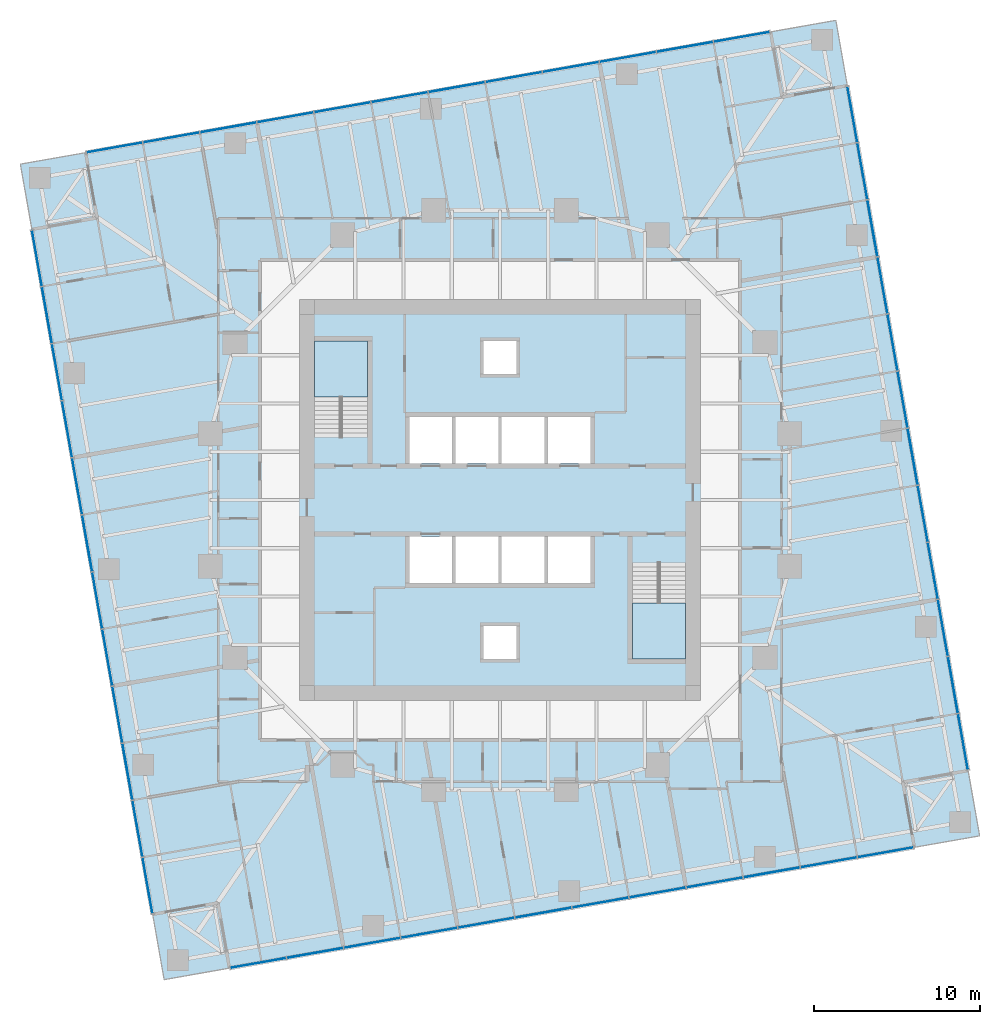
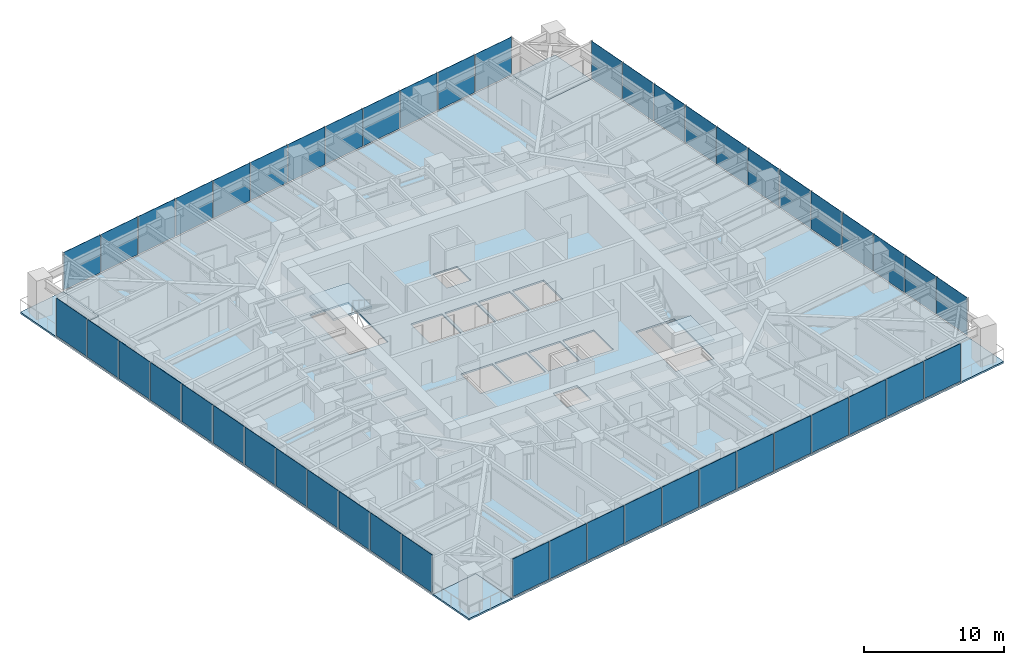
# One storey, part 7 of 14: 48 plates, 7 slabs, 6 elements without a shape of their own.
"""IFC4 building model written with IfcOpenShell, lengths in metres."""

import ifcopenshell
import ifcopenshell.guid

model = None  # the IFC model being written
_history = None  # IfcOwnerHistory: only IFC2X3 demands one
_inside = {}  # id of a spatial element -> (the spatial element, [elements in it])
_under = {}  # id of a project, library or spatial element -> (it, [spatial elements below it])
_declared = {}  # id of a project -> (the project, [libraries it declares])
_typed = {}  # id of a type object -> (the type object, [elements of that type])
_made_of = {}  # id of a material, layer set ... -> (it, [elements and type objects made of it])


def new_model(schema):
    """Start an empty IFC model of exactly this schema.

    Asked for "IFC4X3", IfcOpenShell would pick the latest addendum, in which some entities
    have other attributes; the version numbers below select the first issue.
    IFC2X3 requires an IfcOwnerHistory on every rooted entity: one is made here for all.
    """
    global model, _history
    if schema == "IFC4X3":
        model = ifcopenshell.file(schema_version=(4, 3, 0, 0))
    else:
        model = ifcopenshell.file(schema=schema)
    _inside.clear()
    _under.clear()
    _declared.clear()
    _typed.clear()
    _made_of.clear()
    _history = None
    if model.schema == "IFC2X3":
        org = make("IfcOrganization", Name="unknown")
        user = make(
            "IfcPersonAndOrganization",
            ThePerson=make("IfcPerson", FamilyName="unknown"),
            TheOrganization=org,
        )
        app = make(
            "IfcApplication",
            ApplicationDeveloper=org,
            Version="unknown",
            ApplicationFullName="unknown",
            ApplicationIdentifier="unknown",
        )
        _history = make(
            "IfcOwnerHistory",
            OwningUser=user,
            OwningApplication=app,
            ChangeAction="ADDED",
            CreationDate=0,
        )
    return model


def make(cls, **values):
    """One entity of the class cls with the attributes given. An attribute that is None is left unset."""
    return model.create_entity(
        cls, **{name: value for name, value in values.items() if value is not None}
    )


def rooted(cls, **values):
    """An entity with a GlobalId (a new one), such as an element, a storey or a relation."""
    return make(cls, GlobalId=ifcopenshell.guid.new(), OwnerHistory=_history, **values)


def si_unit(unit_type, name, prefix=None):
    """IfcSIUnit, for example si_unit("LENGTHUNIT", "METRE", prefix="MILLI")."""
    return make("IfcSIUnit", UnitType=unit_type, Prefix=prefix, Name=name)


def assignment(units):
    """IfcUnitAssignment: the units of a project."""
    return None if units is None else make("IfcUnitAssignment", Units=units)


def point(xyz):
    """IfcCartesianPoint."""
    return None if xyz is None else make("IfcCartesianPoint", Coordinates=xyz)


def direction(xyz):
    """IfcDirection."""
    return None if xyz is None else make("IfcDirection", DirectionRatios=xyz)


def frame(location, z_axis=None, x_axis=None):
    """IfcAxis2Placement3D, a coordinate frame: its origin and axes. An axis left out is left unset."""
    return make(
        "IfcAxis2Placement3D",
        Location=point(location),
        Axis=direction(z_axis),
        RefDirection=direction(x_axis),
    )


def frame_2d(location, x_axis=None):
    """IfcAxis2Placement2D, a coordinate frame in the plane: its origin and x axis."""
    return make(
        "IfcAxis2Placement2D", Location=point(location), RefDirection=direction(x_axis)
    )


def origin():
    """The frame at (0, 0, 0) with its axes left unset."""
    return frame((0.0, 0.0, 0.0))


def origin_2d():
    """The frame at (0, 0) in the plane with its x axis left unset."""
    return frame_2d((0.0, 0.0))


def place(relative_to, where):
    """IfcLocalPlacement: puts the frame where relative to a parent placement (None: the world)."""
    return make(
        "IfcLocalPlacement", PlacementRelTo=relative_to, RelativePlacement=where
    )


def context(
    kind, dimensions, precision=None, world=None, true_north=None, identifier=None
):
    """IfcGeometricRepresentationContext, for example the 3D "Model" context."""
    return make(
        "IfcGeometricRepresentationContext",
        ContextIdentifier=identifier,
        ContextType=kind,
        CoordinateSpaceDimension=dimensions,
        Precision=precision,
        WorldCoordinateSystem=world,
        TrueNorth=true_north,
    )


def subcontext(parent, identifier, kind, view, scale=None):
    """IfcGeometricRepresentationSubContext, for example "Body" below "Model"."""
    return make(
        "IfcGeometricRepresentationSubContext",
        ContextIdentifier=identifier,
        ContextType=kind,
        ParentContext=parent,
        TargetScale=scale,
        TargetView=view,
    )


def project(units=None, contexts=None):
    """IfcProject with its units and contexts."""
    return rooted(
        "IfcProject",
        Name="project",
        RepresentationContexts=contexts,
        UnitsInContext=assignment(units),
    )


def spatial(cls, under=None, at=None, **own):
    """A site, building, storey or space (cls), placed at a placement, below another one or the project."""
    s = rooted(cls, ObjectPlacement=at, **own)
    if under is not None:
        _under.setdefault(under.id(), (under, []))[1].append(s)
    return s


def polyline(points):
    """IfcPolyline through the points."""
    return make("IfcPolyline", Points=[point(p) for p in points])


def profile(cls, at=None, kind="AREA", **sizes):
    """A parametric profile (cls). Its sizes go by their IFC names, for example OverallWidth=200.0."""
    return make(cls, ProfileType=kind, Position=at, **sizes)


def rectangle(**sizes):
    """IfcRectangleProfileDef."""
    return profile("IfcRectangleProfileDef", **sizes)


def outline(outer, holes=None, kind="AREA"):
    """IfcArbitraryClosedProfileDef: a profile drawn as a closed curve; with holes, ...WithVoids."""
    if holes is None:
        return make("IfcArbitraryClosedProfileDef", ProfileType=kind, OuterCurve=outer)
    return make(
        "IfcArbitraryProfileDefWithVoids",
        ProfileType=kind,
        OuterCurve=outer,
        InnerCurves=holes,
    )


def extrude(swept, where, along, depth):
    """IfcExtrudedAreaSolid: the profile swept, set in the frame where, extruded along a direction by depth."""
    return make(
        "IfcExtrudedAreaSolid",
        SweptArea=swept,
        Position=where,
        ExtrudedDirection=direction(along),
        Depth=depth,
    )


def shape(context_of_items, identifier, shape_type, items):
    """IfcShapeRepresentation: the items that make up one representation, for example the "Body"."""
    return make(
        "IfcShapeRepresentation",
        ContextOfItems=context_of_items,
        RepresentationIdentifier=identifier,
        RepresentationType=shape_type,
        Items=items,
    )


def material(Name=None, Category=None):
    """IfcMaterial."""
    return make("IfcMaterial", Name=Name, Category=Category)


def layer(
    of_material, thickness, ventilated=None, Name=None, Category=None, Priority=None
):
    """IfcMaterialLayer: one layer of a wall or slab, of a material (None: an air gap)."""
    return make(
        "IfcMaterialLayer",
        Material=of_material,
        LayerThickness=thickness,
        IsVentilated=ventilated,
        Name=Name,
        Category=Category,
        Priority=Priority,
    )


def layer_set(layers, Name=None):
    """IfcMaterialLayerSet."""
    return make("IfcMaterialLayerSet", MaterialLayers=layers, LayerSetName=Name)


def made_of(thing, what):
    """Note that an element or type object is made of a material, layer set ...; save() writes the relation."""
    if what is not None:
        _made_of.setdefault(what.id(), (what, []))[1].append(thing)
    return thing


def type_object(cls, material=None, **own):
    """A type object (cls), such as IfcWallType, which elements share."""
    return made_of(rooted(cls, **own), material)


def element(
    cls,
    number,
    at=None,
    inside=None,
    cuts=None,
    type_object=None,
    material=None,
    context=None,
    identifier="Body",
    shape_type=None,
    held_by="IfcProductDefinitionShape",
    body=None,
    shapes=None,
    **own,
):
    """One element of the class cls, such as IfcWall. Its Tag is "e" and its number.

    at: its placement. inside: the storey or other place that contains it. cuts: it is an
    opening in that element (IfcRelVoidsElement). A single representation is given by context,
    identifier, shape_type and body (its items); several are given by shapes. held_by: the class
    of the entity that holds the representations. save() writes the other relations.
    """
    e = rooted(cls, Tag="e%d" % number, ObjectPlacement=at, **own)
    if body is not None:
        shapes = [shape(context, identifier, shape_type, body)]
    if shapes is not None:
        e.Representation = make(held_by, Representations=shapes)
    if inside is not None:
        _inside.setdefault(inside.id(), (inside, []))[1].append(e)
    if cuts is not None:
        rooted(
            "IfcRelVoidsElement", RelatingBuildingElement=cuts, RelatedOpeningElement=e
        )
    if type_object is not None:
        _typed.setdefault(type_object.id(), (type_object, []))[1].append(e)
    return made_of(e, material)


def aggregate(whole, parts):
    """IfcRelAggregates: a whole, such as a stair, and the parts it consists of."""
    return rooted("IfcRelAggregates", RelatingObject=whole, RelatedObjects=parts)


def save(model, path):
    """Write the relations noted so far, then the file.

    IfcRelAggregates (storeys below a building ...), IfcRelContainedInSpatialStructure (elements
    in a storey), IfcRelDefinesByType, IfcRelAssociatesMaterial and IfcRelDeclares: one each for
    every whole, place, type object, material and project.
    """
    for whole, parts in _under.values():
        aggregate(whole, parts)
    for where, things in _inside.values():
        rooted(
            "IfcRelContainedInSpatialStructure",
            RelatedElements=things,
            RelatingStructure=where,
        )
    for kind, things in _typed.values():
        rooted("IfcRelDefinesByType", RelatedObjects=things, RelatingType=kind)
    for what, things in _made_of.values():
        rooted("IfcRelAssociatesMaterial", RelatedObjects=things, RelatingMaterial=what)
    for by, libraries in _declared.values():
        rooted("IfcRelDeclares", RelatingContext=by, RelatedDefinitions=libraries)
    model.write(path)


model = new_model("IFC4")

# Units and contexts
model_context = context("Model", 3, precision=1e-05, world=origin(), true_north=direction((0.0, 1.0)))
body_context = subcontext(model_context, "Body", "Model", "MODEL_VIEW")
ifc_project = project(units=[si_unit("LENGTHUNIT", "METRE"), si_unit("AREAUNIT", "SQUARE_METRE"), si_unit("VOLUMEUNIT", "CUBIC_METRE"), si_unit("PLANEANGLEUNIT", "RADIAN"), si_unit("MASSUNIT", "GRAM", prefix="KILO")], contexts=[model_context])

# Site, building, storey
site_placement = place(None, origin())
site = spatial("IfcSite", under=ifc_project, at=site_placement, CompositionType="ELEMENT")
building_placement = place(site_placement, origin())
building = spatial("IfcBuilding", under=site, at=building_placement, Name="Torsade Residences", CompositionType="ELEMENT")
storey_placement = place(building_placement, frame((0.0, 0.0, 82.800048828125)))
storey = spatial("IfcBuildingStorey", under=building, at=storey_placement, Name="L22", CompositionType="ELEMENT", Elevation=82.800048828125)

# Slab
ifc_material_1 = material(Name="Concrete 40 MPa", Category="concrete")
ifc_layer_1 = layer(ifc_material_1, 0.14990234375)
ifc_layer_set_1 = layer_set([ifc_layer_1], Name="Concrete 40 MPa")
slab_type_1 = type_object("IfcSlabType", Name="COMPOSITE FLOOR SLAB 150", PredefinedType="FLOOR", material=ifc_layer_set_1)
slab_1_placement = place(storey_placement, frame((0.0, 0.0, -0.150146484375)))
element("IfcSlab", 1, at=slab_1_placement, inside=storey, type_object=slab_type_1, Name="Floor slab L22", PredefinedType="FLOOR", context=body_context, shape_type="SweptSolid", body=[
    extrude(outline(polyline([(23.66015625, 1.733154296875), (65.022216796875, 9.0263671875), (64.32763671875, 12.965576171875), (68.266845703125, 13.66015625), (60.9736328125, 55.022216796875), (57.034423828125, 54.32763671875), (56.33984375, 58.266845703125), (14.977783203125, 50.9736328125), (15.67236328125, 47.034423828125), (11.733154296875, 46.33984375), (19.0263671875, 4.977783203125), (22.965576171875, 5.67236328125), (23.66015625, 1.733154296875)]), holes=[polyline([(51.199951171875, 20.39990234375), (51.199951171875, 26.1201171875), (48.0, 26.1201171875), (48.0, 20.39990234375), (51.199951171875, 20.39990234375)]), polyline([(45.5, 27.800048828125), (42.89990234375, 27.800048828125), (42.89990234375, 25.0), (45.5, 25.0), (45.5, 27.800048828125)]), polyline([(45.5, 32.199951171875), (45.5, 35.0), (42.89990234375, 35.0), (42.89990234375, 32.199951171875), (45.5, 32.199951171875)]), polyline([(42.699951171875, 25.0), (42.699951171875, 27.800048828125), (40.10009765625, 27.800048828125), (40.10009765625, 25.0), (42.699951171875, 25.0)]), polyline([(42.699951171875, 32.199951171875), (42.699951171875, 35.0), (40.10009765625, 35.0), (40.10009765625, 32.199951171875), (42.699951171875, 32.199951171875)]), polyline([(41.0, 22.39990234375), (39.0, 22.39990234375), (39.0, 20.39990234375), (41.0, 20.39990234375), (41.0, 22.39990234375)]), polyline([(41.0, 37.60009765625), (41.0, 39.60009765625), (39.0, 39.60009765625), (39.0, 37.60009765625), (41.0, 37.60009765625)]), polyline([(39.89990234375, 25.0), (39.89990234375, 27.800048828125), (37.300048828125, 27.800048828125), (37.300048828125, 25.0), (39.89990234375, 25.0)]), polyline([(39.89990234375, 35.0), (37.300048828125, 35.0), (37.300048828125, 32.199951171875), (39.89990234375, 32.199951171875), (39.89990234375, 35.0)]), polyline([(37.10009765625, 27.800048828125), (34.5, 27.800048828125), (34.5, 25.0), (37.10009765625, 25.0), (37.10009765625, 27.800048828125)]), polyline([(37.10009765625, 32.199951171875), (37.10009765625, 35.0), (34.5, 35.0), (34.5, 32.199951171875), (37.10009765625, 32.199951171875)]), polyline([(32.0, 33.8798828125), (32.0, 39.60009765625), (28.800048828125, 39.60009765625), (28.800048828125, 33.8798828125), (32.0, 33.8798828125)])]), origin(), (0.0, 0.0, 1.0), 0.150146484375),
])

# Curtain wall, plates
ifc_material_2 = material(Name="Aluminium and glass", Category="aluminium")
curtain_wall_type = type_object("IfcCurtainWallType", Name="FRITTED GLASS CURTAIN WALL LOW ZONE", PredefinedType="NOTDEFINED", material=ifc_material_2)
curtain_wall_1_placement = place(storey_placement, origin())
curtain_wall_1 = element("IfcCurtainWall", 2, at=curtain_wall_1_placement, inside=storey, type_object=curtain_wall_type, Name="Curtain wall L22 face 1", PredefinedType="NOTDEFINED")
ifc_material_3 = material(Name="Laminated glass", Category="glass")
ifc_layer_2 = layer(ifc_material_3, 0.031982421875)
ifc_layer_set_2 = layer_set([ifc_layer_2], Name="Laminated glass")
plate_type_1 = type_object("IfcPlateType", Name="FRITTED GLASS PANEL", PredefinedType="CURTAIN_PANEL", material=ifc_layer_set_2)
plate_1_placement = place(storey_placement, frame((25.399658203125, 2.039794921875, 0.10009765625), z_axis=(0.0, 0.0, 1.0), x_axis=(0.984807750372, 0.173648192638, 0.0)))
plate_1 = element("IfcPlate", 3, at=plate_1_placement, type_object=plate_type_1, Name="Panel 1", PredefinedType="CURTAIN_PANEL", context=body_context, shape_type="SweptSolid", body=[
    extrude(rectangle(XDim=3.402587890625, YDim=0.031982421875, at=origin_2d()), origin(), (0.0, 0.0, 1.0), 3.300048828125),
])
plate_2_placement = place(storey_placement, frame((32.27734375, 3.252685546875, 0.10009765625), z_axis=(0.0, 0.0, 1.0), x_axis=(0.984807750372, 0.173648192638, 0.0)))
plate_2 = element("IfcPlate", 4, at=plate_2_placement, type_object=plate_type_1, Name="Panel 3", PredefinedType="CURTAIN_PANEL", context=body_context, shape_type="SweptSolid", body=[
    extrude(rectangle(XDim=3.43505859375, YDim=0.031982421875, at=origin_2d()), origin(), (0.0, 0.0, 1.0), 3.300048828125),
])
plate_3_placement = place(storey_placement, frame((35.72412109375, 3.8603515625, 0.10009765625), z_axis=(0.0, 0.0, 1.0), x_axis=(0.984807750372, 0.173648192638, 0.0)))
plate_3 = element("IfcPlate", 5, at=plate_3_placement, type_object=plate_type_1, Name="Panel 4", PredefinedType="CURTAIN_PANEL", context=body_context, shape_type="SweptSolid", body=[
    extrude(rectangle(XDim=3.43505859375, YDim=0.031982421875, at=origin_2d()), origin(), (0.0, 0.0, 1.0), 3.300048828125),
])
plate_4_placement = place(storey_placement, frame((39.1708984375, 4.46826171875, 0.10009765625), z_axis=(0.0, 0.0, 1.0), x_axis=(0.984807750372, 0.173648192638, 0.0)))
plate_4 = element("IfcPlate", 6, at=plate_4_placement, type_object=plate_type_1, Name="Panel 5", PredefinedType="CURTAIN_PANEL", context=body_context, shape_type="SweptSolid", body=[
    extrude(rectangle(XDim=3.43505859375, YDim=0.031982421875, at=origin_2d()), origin(), (0.0, 0.0, 1.0), 3.300048828125),
])
plate_5_placement = place(storey_placement, frame((46.064697265625, 5.68359375, 0.10009765625), z_axis=(0.0, 0.0, 1.0), x_axis=(0.984807750372, 0.173648192638, 0.0)))
plate_5 = element("IfcPlate", 7, at=plate_5_placement, type_object=plate_type_1, Name="Panel 7", PredefinedType="CURTAIN_PANEL", context=body_context, shape_type="SweptSolid", body=[
    extrude(rectangle(XDim=3.43505859375, YDim=0.031982421875, at=origin_2d()), origin(), (0.0, 0.0, 1.0), 3.300048828125),
])
plate_6_placement = place(storey_placement, frame((49.511474609375, 6.29150390625, 0.10009765625), z_axis=(0.0, 0.0, 1.0), x_axis=(0.984807750372, 0.173648192638, 0.0)))
plate_6 = element("IfcPlate", 8, at=plate_6_placement, type_object=plate_type_1, Name="Panel 8", PredefinedType="CURTAIN_PANEL", context=body_context, shape_type="SweptSolid", body=[
    extrude(rectangle(XDim=3.43505859375, YDim=0.031982421875, at=origin_2d()), origin(), (0.0, 0.0, 1.0), 3.300048828125),
])
plate_7_placement = place(storey_placement, frame((52.958251953125, 6.899169921875, 0.10009765625), z_axis=(0.0, 0.0, 1.0), x_axis=(0.984807750372, 0.173648192638, 0.0)))
plate_7 = element("IfcPlate", 9, at=plate_7_placement, type_object=plate_type_1, Name="Panel 9", PredefinedType="CURTAIN_PANEL", context=body_context, shape_type="SweptSolid", body=[
    extrude(rectangle(XDim=3.43505859375, YDim=0.031982421875, at=origin_2d()), origin(), (0.0, 0.0, 1.0), 3.300048828125),
])
plate_8_placement = place(storey_placement, frame((59.851806640625, 8.11474609375, 0.10009765625), z_axis=(0.0, 0.0, 1.0), x_axis=(0.984807750372, 0.173648192638, 0.0)))
plate_8 = element("IfcPlate", 10, at=plate_8_placement, type_object=plate_type_1, Name="Panel 11", PredefinedType="CURTAIN_PANEL", context=body_context, shape_type="SweptSolid", body=[
    extrude(rectangle(XDim=3.43505859375, YDim=0.031982421875, at=origin_2d()), origin(), (0.0, 0.0, 1.0), 3.300048828125),
])
plate_9_placement = place(storey_placement, frame((63.28271484375, 8.7197265625, 0.10009765625), z_axis=(0.0, 0.0, 1.0), x_axis=(0.984807750372, 0.173648192638, 0.0)))
plate_9 = element("IfcPlate", 11, at=plate_9_placement, type_object=plate_type_1, Name="Panel 12", PredefinedType="CURTAIN_PANEL", context=body_context, shape_type="SweptSolid", body=[
    extrude(rectangle(XDim=3.402587890625, YDim=0.031982421875, at=origin_2d()), origin(), (0.0, 0.0, 1.0), 3.300048828125),
])

curtain_wall_2_placement = place(storey_placement, origin())
curtain_wall_2 = element("IfcCurtainWall", 12, at=curtain_wall_2_placement, inside=storey, type_object=curtain_wall_type, Name="Curtain wall L22 face 4", PredefinedType="NOTDEFINED")
plate_10_placement = place(storey_placement, frame((67.960205078125, 15.399658203125, 0.10009765625), z_axis=(0.0, 0.0, 1.0), x_axis=(-0.173648192638, 0.984807750372, 0.0)))
plate_10 = element("IfcPlate", 13, at=plate_10_placement, type_object=plate_type_1, Name="Panel 1", PredefinedType="CURTAIN_PANEL", context=body_context, shape_type="SweptSolid", body=[
    extrude(rectangle(XDim=3.402587890625, YDim=0.031982421875, at=origin_2d()), origin(), (0.0, 0.0, 1.0), 3.300048828125),
])
plate_11_placement = place(storey_placement, frame((66.747314453125, 22.27734375, 0.10009765625), z_axis=(0.0, 0.0, 1.0), x_axis=(-0.173648192638, 0.984807750372, 0.0)))
plate_11 = element("IfcPlate", 14, at=plate_11_placement, type_object=plate_type_1, Name="Panel 3", PredefinedType="CURTAIN_PANEL", context=body_context, shape_type="SweptSolid", body=[
    extrude(rectangle(XDim=3.43505859375, YDim=0.031982421875, at=origin_2d()), origin(), (0.0, 0.0, 1.0), 3.300048828125),
])
plate_12_placement = place(storey_placement, frame((66.1396484375, 25.72412109375, 0.10009765625), z_axis=(0.0, 0.0, 1.0), x_axis=(-0.173648192638, 0.984807750372, 0.0)))
plate_12 = element("IfcPlate", 15, at=plate_12_placement, type_object=plate_type_1, Name="Panel 4", PredefinedType="CURTAIN_PANEL", context=body_context, shape_type="SweptSolid", body=[
    extrude(rectangle(XDim=3.43505859375, YDim=0.031982421875, at=origin_2d()), origin(), (0.0, 0.0, 1.0), 3.300048828125),
])
plate_13_placement = place(storey_placement, frame((65.53173828125, 29.1708984375, 0.10009765625), z_axis=(0.0, 0.0, 1.0), x_axis=(-0.173648192638, 0.984807750372, 0.0)))
plate_13 = element("IfcPlate", 16, at=plate_13_placement, type_object=plate_type_1, Name="Panel 5", PredefinedType="CURTAIN_PANEL", context=body_context, shape_type="SweptSolid", body=[
    extrude(rectangle(XDim=3.43505859375, YDim=0.031982421875, at=origin_2d()), origin(), (0.0, 0.0, 1.0), 3.300048828125),
])
plate_14_placement = place(storey_placement, frame((64.31640625, 36.064697265625, 0.10009765625), z_axis=(0.0, 0.0, 1.0), x_axis=(-0.173648192638, 0.984807750372, 0.0)))
plate_14 = element("IfcPlate", 17, at=plate_14_placement, type_object=plate_type_1, Name="Panel 7", PredefinedType="CURTAIN_PANEL", context=body_context, shape_type="SweptSolid", body=[
    extrude(rectangle(XDim=3.43505859375, YDim=0.031982421875, at=origin_2d()), origin(), (0.0, 0.0, 1.0), 3.300048828125),
])
plate_15_placement = place(storey_placement, frame((63.70849609375, 39.511474609375, 0.10009765625), z_axis=(0.0, 0.0, 1.0), x_axis=(-0.173648192638, 0.984807750372, 0.0)))
plate_15 = element("IfcPlate", 18, at=plate_15_placement, type_object=plate_type_1, Name="Panel 8", PredefinedType="CURTAIN_PANEL", context=body_context, shape_type="SweptSolid", body=[
    extrude(rectangle(XDim=3.43505859375, YDim=0.031982421875, at=origin_2d()), origin(), (0.0, 0.0, 1.0), 3.300048828125),
])
plate_16_placement = place(storey_placement, frame((63.100830078125, 42.958251953125, 0.10009765625), z_axis=(0.0, 0.0, 1.0), x_axis=(-0.173648192638, 0.984807750372, 0.0)))
plate_16 = element("IfcPlate", 19, at=plate_16_placement, type_object=plate_type_1, Name="Panel 9", PredefinedType="CURTAIN_PANEL", context=body_context, shape_type="SweptSolid", body=[
    extrude(rectangle(XDim=3.43505859375, YDim=0.031982421875, at=origin_2d()), origin(), (0.0, 0.0, 1.0), 3.300048828125),
])
plate_17_placement = place(storey_placement, frame((61.88525390625, 49.851806640625, 0.10009765625), z_axis=(0.0, 0.0, 1.0), x_axis=(-0.173648192638, 0.984807750372, 0.0)))
plate_17 = element("IfcPlate", 20, at=plate_17_placement, type_object=plate_type_1, Name="Panel 11", PredefinedType="CURTAIN_PANEL", context=body_context, shape_type="SweptSolid", body=[
    extrude(rectangle(XDim=3.43505859375, YDim=0.031982421875, at=origin_2d()), origin(), (0.0, 0.0, 1.0), 3.300048828125),
])
plate_18_placement = place(storey_placement, frame((61.2802734375, 53.28271484375, 0.10009765625), z_axis=(0.0, 0.0, 1.0), x_axis=(-0.173648192638, 0.984807750372, 0.0)))
plate_18 = element("IfcPlate", 21, at=plate_18_placement, type_object=plate_type_1, Name="Panel 12", PredefinedType="CURTAIN_PANEL", context=body_context, shape_type="SweptSolid", body=[
    extrude(rectangle(XDim=3.402587890625, YDim=0.031982421875, at=origin_2d()), origin(), (0.0, 0.0, 1.0), 3.300048828125),
])

curtain_wall_3_placement = place(storey_placement, origin())
curtain_wall_3 = element("IfcCurtainWall", 22, at=curtain_wall_3_placement, inside=storey, type_object=curtain_wall_type, Name="Curtain wall L22 face 7", PredefinedType="NOTDEFINED")
plate_19_placement = place(storey_placement, frame((54.600341796875, 57.960205078125, 0.10009765625), z_axis=(0.0, 0.0, 1.0), x_axis=(-0.984807750372, -0.173648192638, 0.0)))
plate_19 = element("IfcPlate", 23, at=plate_19_placement, type_object=plate_type_1, Name="Panel 1", PredefinedType="CURTAIN_PANEL", context=body_context, shape_type="SweptSolid", body=[
    extrude(rectangle(XDim=3.402587890625, YDim=0.031982421875, at=origin_2d()), origin(), (0.0, 0.0, 1.0), 3.300048828125),
])
plate_20_placement = place(storey_placement, frame((47.72265625, 56.747314453125, 0.10009765625), z_axis=(0.0, 0.0, 1.0), x_axis=(-0.984807750372, -0.173648192638, 0.0)))
plate_20 = element("IfcPlate", 24, at=plate_20_placement, type_object=plate_type_1, Name="Panel 3", PredefinedType="CURTAIN_PANEL", context=body_context, shape_type="SweptSolid", body=[
    extrude(rectangle(XDim=3.43505859375, YDim=0.031982421875, at=origin_2d()), origin(), (0.0, 0.0, 1.0), 3.300048828125),
])
plate_21_placement = place(storey_placement, frame((44.27587890625, 56.1396484375, 0.10009765625), z_axis=(0.0, 0.0, 1.0), x_axis=(-0.984807750372, -0.173648192638, 0.0)))
plate_21 = element("IfcPlate", 25, at=plate_21_placement, type_object=plate_type_1, Name="Panel 4", PredefinedType="CURTAIN_PANEL", context=body_context, shape_type="SweptSolid", body=[
    extrude(rectangle(XDim=3.43505859375, YDim=0.031982421875, at=origin_2d()), origin(), (0.0, 0.0, 1.0), 3.300048828125),
])
plate_22_placement = place(storey_placement, frame((40.8291015625, 55.53173828125, 0.10009765625), z_axis=(0.0, 0.0, 1.0), x_axis=(-0.984807750372, -0.173648192638, 0.0)))
plate_22 = element("IfcPlate", 26, at=plate_22_placement, type_object=plate_type_1, Name="Panel 5", PredefinedType="CURTAIN_PANEL", context=body_context, shape_type="SweptSolid", body=[
    extrude(rectangle(XDim=3.43505859375, YDim=0.031982421875, at=origin_2d()), origin(), (0.0, 0.0, 1.0), 3.300048828125),
])
plate_23_placement = place(storey_placement, frame((33.935302734375, 54.31640625, 0.10009765625), z_axis=(0.0, 0.0, 1.0), x_axis=(-0.984807750372, -0.173648192638, 0.0)))
plate_23 = element("IfcPlate", 27, at=plate_23_placement, type_object=plate_type_1, Name="Panel 7", PredefinedType="CURTAIN_PANEL", context=body_context, shape_type="SweptSolid", body=[
    extrude(rectangle(XDim=3.43505859375, YDim=0.031982421875, at=origin_2d()), origin(), (0.0, 0.0, 1.0), 3.300048828125),
])
plate_24_placement = place(storey_placement, frame((30.488525390625, 53.70849609375, 0.10009765625), z_axis=(0.0, 0.0, 1.0), x_axis=(-0.984807750372, -0.173648192638, 0.0)))
plate_24 = element("IfcPlate", 28, at=plate_24_placement, type_object=plate_type_1, Name="Panel 8", PredefinedType="CURTAIN_PANEL", context=body_context, shape_type="SweptSolid", body=[
    extrude(rectangle(XDim=3.43505859375, YDim=0.031982421875, at=origin_2d()), origin(), (0.0, 0.0, 1.0), 3.300048828125),
])
plate_25_placement = place(storey_placement, frame((27.041748046875, 53.100830078125, 0.10009765625), z_axis=(0.0, 0.0, 1.0), x_axis=(-0.984807750372, -0.173648192638, 0.0)))
plate_25 = element("IfcPlate", 29, at=plate_25_placement, type_object=plate_type_1, Name="Panel 9", PredefinedType="CURTAIN_PANEL", context=body_context, shape_type="SweptSolid", body=[
    extrude(rectangle(XDim=3.43505859375, YDim=0.031982421875, at=origin_2d()), origin(), (0.0, 0.0, 1.0), 3.300048828125),
])
plate_26_placement = place(storey_placement, frame((20.148193359375, 51.88525390625, 0.10009765625), z_axis=(0.0, 0.0, 1.0), x_axis=(-0.984807750372, -0.173648192638, 0.0)))
plate_26 = element("IfcPlate", 30, at=plate_26_placement, type_object=plate_type_1, Name="Panel 11", PredefinedType="CURTAIN_PANEL", context=body_context, shape_type="SweptSolid", body=[
    extrude(rectangle(XDim=3.43505859375, YDim=0.031982421875, at=origin_2d()), origin(), (0.0, 0.0, 1.0), 3.300048828125),
])
plate_27_placement = place(storey_placement, frame((16.71728515625, 51.2802734375, 0.10009765625), z_axis=(0.0, 0.0, 1.0), x_axis=(-0.984807750372, -0.173648192638, 0.0)))
plate_27 = element("IfcPlate", 31, at=plate_27_placement, type_object=plate_type_1, Name="Panel 12", PredefinedType="CURTAIN_PANEL", context=body_context, shape_type="SweptSolid", body=[
    extrude(rectangle(XDim=3.402587890625, YDim=0.031982421875, at=origin_2d()), origin(), (0.0, 0.0, 1.0), 3.300048828125),
])

curtain_wall_4_placement = place(storey_placement, origin())
curtain_wall_4 = element("IfcCurtainWall", 32, at=curtain_wall_4_placement, inside=storey, type_object=curtain_wall_type, Name="Curtain wall L22 face 10", PredefinedType="NOTDEFINED")
plate_28_placement = place(storey_placement, frame((12.039794921875, 44.600341796875, 0.10009765625), z_axis=(0.0, 0.0, 1.0), x_axis=(0.173648192638, -0.984807750372, 0.0)))
plate_28 = element("IfcPlate", 33, at=plate_28_placement, type_object=plate_type_1, Name="Panel 1", PredefinedType="CURTAIN_PANEL", context=body_context, shape_type="SweptSolid", body=[
    extrude(rectangle(XDim=3.402587890625, YDim=0.031982421875, at=origin_2d()), origin(), (0.0, 0.0, 1.0), 3.300048828125),
])
plate_29_placement = place(storey_placement, frame((13.252685546875, 37.72265625, 0.10009765625), z_axis=(0.0, 0.0, 1.0), x_axis=(0.173648192638, -0.984807750372, 0.0)))
plate_29 = element("IfcPlate", 34, at=plate_29_placement, type_object=plate_type_1, Name="Panel 3", PredefinedType="CURTAIN_PANEL", context=body_context, shape_type="SweptSolid", body=[
    extrude(rectangle(XDim=3.43505859375, YDim=0.031982421875, at=origin_2d()), origin(), (0.0, 0.0, 1.0), 3.300048828125),
])
plate_30_placement = place(storey_placement, frame((13.8603515625, 34.27587890625, 0.10009765625), z_axis=(0.0, 0.0, 1.0), x_axis=(0.173648192638, -0.984807750372, 0.0)))
plate_30 = element("IfcPlate", 35, at=plate_30_placement, type_object=plate_type_1, Name="Panel 4", PredefinedType="CURTAIN_PANEL", context=body_context, shape_type="SweptSolid", body=[
    extrude(rectangle(XDim=3.43505859375, YDim=0.031982421875, at=origin_2d()), origin(), (0.0, 0.0, 1.0), 3.300048828125),
])
plate_31_placement = place(storey_placement, frame((14.46826171875, 30.8291015625, 0.10009765625), z_axis=(0.0, 0.0, 1.0), x_axis=(0.173648192638, -0.984807750372, 0.0)))
plate_31 = element("IfcPlate", 36, at=plate_31_placement, type_object=plate_type_1, Name="Panel 5", PredefinedType="CURTAIN_PANEL", context=body_context, shape_type="SweptSolid", body=[
    extrude(rectangle(XDim=3.43505859375, YDim=0.031982421875, at=origin_2d()), origin(), (0.0, 0.0, 1.0), 3.300048828125),
])
plate_32_placement = place(storey_placement, frame((15.68359375, 23.935302734375, 0.10009765625), z_axis=(0.0, 0.0, 1.0), x_axis=(0.173648192638, -0.984807750372, 0.0)))
plate_32 = element("IfcPlate", 37, at=plate_32_placement, type_object=plate_type_1, Name="Panel 7", PredefinedType="CURTAIN_PANEL", context=body_context, shape_type="SweptSolid", body=[
    extrude(rectangle(XDim=3.43505859375, YDim=0.031982421875, at=origin_2d()), origin(), (0.0, 0.0, 1.0), 3.300048828125),
])
plate_33_placement = place(storey_placement, frame((16.29150390625, 20.488525390625, 0.10009765625), z_axis=(0.0, 0.0, 1.0), x_axis=(0.173648192638, -0.984807750372, 0.0)))
plate_33 = element("IfcPlate", 38, at=plate_33_placement, type_object=plate_type_1, Name="Panel 8", PredefinedType="CURTAIN_PANEL", context=body_context, shape_type="SweptSolid", body=[
    extrude(rectangle(XDim=3.43505859375, YDim=0.031982421875, at=origin_2d()), origin(), (0.0, 0.0, 1.0), 3.300048828125),
])
plate_34_placement = place(storey_placement, frame((16.899169921875, 17.041748046875, 0.10009765625), z_axis=(0.0, 0.0, 1.0), x_axis=(0.173648192638, -0.984807750372, 0.0)))
plate_34 = element("IfcPlate", 39, at=plate_34_placement, type_object=plate_type_1, Name="Panel 9", PredefinedType="CURTAIN_PANEL", context=body_context, shape_type="SweptSolid", body=[
    extrude(rectangle(XDim=3.43505859375, YDim=0.031982421875, at=origin_2d()), origin(), (0.0, 0.0, 1.0), 3.300048828125),
])
plate_35_placement = place(storey_placement, frame((18.11474609375, 10.148193359375, 0.10009765625), z_axis=(0.0, 0.0, 1.0), x_axis=(0.173648192638, -0.984807750372, 0.0)))
plate_35 = element("IfcPlate", 40, at=plate_35_placement, type_object=plate_type_1, Name="Panel 11", PredefinedType="CURTAIN_PANEL", context=body_context, shape_type="SweptSolid", body=[
    extrude(rectangle(XDim=3.43505859375, YDim=0.031982421875, at=origin_2d()), origin(), (0.0, 0.0, 1.0), 3.300048828125),
])
plate_36_placement = place(storey_placement, frame((18.7197265625, 6.71728515625, 0.10009765625), z_axis=(0.0, 0.0, 1.0), x_axis=(0.173648192638, -0.984807750372, 0.0)))
plate_36 = element("IfcPlate", 41, at=plate_36_placement, type_object=plate_type_1, Name="Panel 12", PredefinedType="CURTAIN_PANEL", context=body_context, shape_type="SweptSolid", body=[
    extrude(rectangle(XDim=3.402587890625, YDim=0.031982421875, at=origin_2d()), origin(), (0.0, 0.0, 1.0), 3.300048828125),
])

# Plate
ifc_material_4 = material(Name="Laminated glass", Category="glass")
ifc_layer_3 = layer(ifc_material_4, 0.0400390625)
ifc_layer_set_3 = layer_set([ifc_layer_3], Name="Laminated glass")
plate_type_2 = type_object("IfcPlateType", Name="OPERABLE VENT PANEL", PredefinedType="CURTAIN_PANEL", material=ifc_layer_set_3)
plate_37_placement = place(storey_placement, frame((28.83056640625, 2.644775390625, 0.10009765625), z_axis=(0.0, 0.0, 1.0), x_axis=(0.984807750372, 0.173648192638, 0.0)))
plate_37 = element("IfcPlate", 42, at=plate_37_placement, type_object=plate_type_2, Name="Panel 2", PredefinedType="CURTAIN_PANEL", context=body_context, shape_type="SweptSolid", body=[
    extrude(rectangle(XDim=3.43505859375, YDim=0.0400390625, at=origin_2d()), origin(), (0.0, 0.0, 1.0), 3.300048828125),
])

plate_38_placement = place(storey_placement, frame((42.61767578125, 5.075927734375, 0.10009765625), z_axis=(0.0, 0.0, 1.0), x_axis=(0.984807750372, 0.173648192638, 0.0)))
plate_38 = element("IfcPlate", 43, at=plate_38_placement, type_object=plate_type_2, Name="Panel 6", PredefinedType="CURTAIN_PANEL", context=body_context, shape_type="SweptSolid", body=[
    extrude(rectangle(XDim=3.43505859375, YDim=0.0400390625, at=origin_2d()), origin(), (0.0, 0.0, 1.0), 3.300048828125),
])

plate_39_placement = place(storey_placement, frame((56.405029296875, 7.507080078125, 0.10009765625), z_axis=(0.0, 0.0, 1.0), x_axis=(0.984807750372, 0.173648192638, 0.0)))
plate_39 = element("IfcPlate", 44, at=plate_39_placement, type_object=plate_type_2, Name="Panel 10", PredefinedType="CURTAIN_PANEL", context=body_context, shape_type="SweptSolid", body=[
    extrude(rectangle(XDim=3.43505859375, YDim=0.0400390625, at=origin_2d()), origin(), (0.0, 0.0, 1.0), 3.300048828125),
])

aggregate(curtain_wall_1, [plate_1, plate_37, plate_2, plate_3, plate_4, plate_38, plate_5, plate_6, plate_7, plate_39, plate_8, plate_9])

plate_40_placement = place(storey_placement, frame((67.355224609375, 18.83056640625, 0.10009765625), z_axis=(0.0, 0.0, 1.0), x_axis=(-0.173648192638, 0.984807750372, 0.0)))
plate_40 = element("IfcPlate", 45, at=plate_40_placement, type_object=plate_type_2, Name="Panel 2", PredefinedType="CURTAIN_PANEL", context=body_context, shape_type="SweptSolid", body=[
    extrude(rectangle(XDim=3.43505859375, YDim=0.0400390625, at=origin_2d()), origin(), (0.0, 0.0, 1.0), 3.300048828125),
])

plate_41_placement = place(storey_placement, frame((64.924072265625, 32.61767578125, 0.10009765625), z_axis=(0.0, 0.0, 1.0), x_axis=(-0.173648192638, 0.984807750372, 0.0)))
plate_41 = element("IfcPlate", 46, at=plate_41_placement, type_object=plate_type_2, Name="Panel 6", PredefinedType="CURTAIN_PANEL", context=body_context, shape_type="SweptSolid", body=[
    extrude(rectangle(XDim=3.43505859375, YDim=0.0400390625, at=origin_2d()), origin(), (0.0, 0.0, 1.0), 3.300048828125),
])

plate_42_placement = place(storey_placement, frame((62.492919921875, 46.405029296875, 0.10009765625), z_axis=(0.0, 0.0, 1.0), x_axis=(-0.173648192638, 0.984807750372, 0.0)))
plate_42 = element("IfcPlate", 47, at=plate_42_placement, type_object=plate_type_2, Name="Panel 10", PredefinedType="CURTAIN_PANEL", context=body_context, shape_type="SweptSolid", body=[
    extrude(rectangle(XDim=3.43505859375, YDim=0.0400390625, at=origin_2d()), origin(), (0.0, 0.0, 1.0), 3.300048828125),
])

aggregate(curtain_wall_2, [plate_10, plate_40, plate_11, plate_12, plate_13, plate_41, plate_14, plate_15, plate_16, plate_42, plate_17, plate_18])

plate_43_placement = place(storey_placement, frame((51.16943359375, 57.355224609375, 0.10009765625), z_axis=(0.0, 0.0, 1.0), x_axis=(-0.984807750372, -0.173648192638, 0.0)))
plate_43 = element("IfcPlate", 48, at=plate_43_placement, type_object=plate_type_2, Name="Panel 2", PredefinedType="CURTAIN_PANEL", context=body_context, shape_type="SweptSolid", body=[
    extrude(rectangle(XDim=3.43505859375, YDim=0.0400390625, at=origin_2d()), origin(), (0.0, 0.0, 1.0), 3.300048828125),
])

plate_44_placement = place(storey_placement, frame((37.38232421875, 54.924072265625, 0.10009765625), z_axis=(0.0, 0.0, 1.0), x_axis=(-0.984807750372, -0.173648192638, 0.0)))
plate_44 = element("IfcPlate", 49, at=plate_44_placement, type_object=plate_type_2, Name="Panel 6", PredefinedType="CURTAIN_PANEL", context=body_context, shape_type="SweptSolid", body=[
    extrude(rectangle(XDim=3.43505859375, YDim=0.0400390625, at=origin_2d()), origin(), (0.0, 0.0, 1.0), 3.300048828125),
])

plate_45_placement = place(storey_placement, frame((23.594970703125, 52.492919921875, 0.10009765625), z_axis=(0.0, 0.0, 1.0), x_axis=(-0.984807750372, -0.173648192638, 0.0)))
plate_45 = element("IfcPlate", 50, at=plate_45_placement, type_object=plate_type_2, Name="Panel 10", PredefinedType="CURTAIN_PANEL", context=body_context, shape_type="SweptSolid", body=[
    extrude(rectangle(XDim=3.43505859375, YDim=0.0400390625, at=origin_2d()), origin(), (0.0, 0.0, 1.0), 3.300048828125),
])

aggregate(curtain_wall_3, [plate_19, plate_43, plate_20, plate_21, plate_22, plate_44, plate_23, plate_24, plate_25, plate_45, plate_26, plate_27])

plate_46_placement = place(storey_placement, frame((12.644775390625, 41.16943359375, 0.10009765625), z_axis=(0.0, 0.0, 1.0), x_axis=(0.173648192638, -0.984807750372, 0.0)))
plate_46 = element("IfcPlate", 51, at=plate_46_placement, type_object=plate_type_2, Name="Panel 2", PredefinedType="CURTAIN_PANEL", context=body_context, shape_type="SweptSolid", body=[
    extrude(rectangle(XDim=3.43505859375, YDim=0.0400390625, at=origin_2d()), origin(), (0.0, 0.0, 1.0), 3.300048828125),
])

plate_47_placement = place(storey_placement, frame((15.075927734375, 27.38232421875, 0.10009765625), z_axis=(0.0, 0.0, 1.0), x_axis=(0.173648192638, -0.984807750372, 0.0)))
plate_47 = element("IfcPlate", 52, at=plate_47_placement, type_object=plate_type_2, Name="Panel 6", PredefinedType="CURTAIN_PANEL", context=body_context, shape_type="SweptSolid", body=[
    extrude(rectangle(XDim=3.43505859375, YDim=0.0400390625, at=origin_2d()), origin(), (0.0, 0.0, 1.0), 3.300048828125),
])

plate_48_placement = place(storey_placement, frame((17.507080078125, 13.594970703125, 0.10009765625), z_axis=(0.0, 0.0, 1.0), x_axis=(0.173648192638, -0.984807750372, 0.0)))
plate_48 = element("IfcPlate", 53, at=plate_48_placement, type_object=plate_type_2, Name="Panel 10", PredefinedType="CURTAIN_PANEL", context=body_context, shape_type="SweptSolid", body=[
    extrude(rectangle(XDim=3.43505859375, YDim=0.0400390625, at=origin_2d()), origin(), (0.0, 0.0, 1.0), 3.300048828125),
])

aggregate(curtain_wall_4, [plate_28, plate_46, plate_29, plate_30, plate_31, plate_47, plate_32, plate_33, plate_34, plate_48, plate_35, plate_36])

# Stair, slab
ifc_material_5 = material(Name="Precast concrete 40 MPa", Category="concrete")
stair_type = type_object("IfcStairType", Name="HALF-TURN FIRE STAIR 1500x3400", PredefinedType="HALF_TURN_STAIR", material=ifc_material_5)
stair_1_placement = place(storey_placement, origin())
stair_1 = element("IfcStair", 54, at=stair_1_placement, inside=storey, type_object=stair_type, Name="Stair ST1 L22", PredefinedType="HALF_TURN_STAIR")
ifc_material_6 = material(Name="Precast concrete 40 MPa", Category="concrete")
ifc_layer_4 = layer(ifc_material_6, 0.179931640625)
ifc_layer_set_4 = layer_set([ifc_layer_4], Name="Precast concrete 40 MPa")
slab_type_2 = type_object("IfcSlabType", Name="PRECAST STAIR LANDING 180", PredefinedType="LANDING", material=ifc_layer_set_4)
slab_2_placement = place(storey_placement, frame((0.0, 0.0, 1.52001953125)))
slab_2 = element("IfcSlab", 55, at=slab_2_placement, type_object=slab_type_2, Name="ST1 landing 1", PredefinedType="LANDING", context=body_context, shape_type="SweptSolid", body=[
    extrude(outline(polyline([(28.800048828125, 36.2099609375), (32.0, 36.2099609375), (32.0, 39.60009765625), (28.800048828125, 39.60009765625), (28.800048828125, 36.2099609375)])), origin(), (0.0, 0.0, 1.0), 0.179931640625),
])
aggregate(stair_1, [slab_2])

stair_2_placement = place(storey_placement, origin())
stair_2 = element("IfcStair", 56, at=stair_2_placement, inside=storey, type_object=stair_type, Name="Stair ST2 L22", PredefinedType="HALF_TURN_STAIR")
slab_3_placement = place(storey_placement, frame((0.0, 0.0, 1.52001953125)))
slab_3 = element("IfcSlab", 57, at=slab_3_placement, type_object=slab_type_2, Name="ST2 landing 1", PredefinedType="LANDING", context=body_context, shape_type="SweptSolid", body=[
    extrude(outline(polyline([(48.0, 20.39990234375), (51.199951171875, 20.39990234375), (51.199951171875, 23.7900390625), (48.0, 23.7900390625), (48.0, 20.39990234375)])), origin(), (0.0, 0.0, 1.0), 0.179931640625),
])
aggregate(stair_2, [slab_3])

# Slabs
ifc_material_7 = material(Name="Concrete 40 MPa", Category="concrete")
ifc_layer_5 = layer(ifc_material_7, 0.14990234375)
ifc_layer_set_5 = layer_set([ifc_layer_5], Name="Concrete 40 MPa")
slab_type_3 = type_object("IfcSlabType", Name="TERRACE SLAB 150", PredefinedType="FLOOR", material=ifc_layer_set_5)
slab_4_placement = place(storey_placement, frame((0.0, 0.0, -0.150146484375)))
element("IfcSlab", 58, at=slab_4_placement, inside=storey, type_object=slab_type_3, Name="Corner terrace slab SE L22", PredefinedType="FLOOR", context=body_context, shape_type="SweptSolid", body=[
    extrude(outline(polyline([(65.022216796875, 9.0263671875), (68.96142578125, 9.720947265625), (68.266845703125, 13.66015625), (64.32763671875, 12.965576171875), (65.022216796875, 9.0263671875)])), origin(), (0.0, 0.0, 1.0), 0.150146484375),
])
slab_5_placement = place(storey_placement, frame((0.0, 0.0, -0.150146484375)))
element("IfcSlab", 59, at=slab_5_placement, inside=storey, type_object=slab_type_3, Name="Corner terrace slab NE L22", PredefinedType="FLOOR", context=body_context, shape_type="SweptSolid", body=[
    extrude(outline(polyline([(57.034423828125, 54.32763671875), (60.9736328125, 55.022216796875), (60.279052734375, 58.96142578125), (56.33984375, 58.266845703125), (57.034423828125, 54.32763671875)])), origin(), (0.0, 0.0, 1.0), 0.150146484375),
])
slab_6_placement = place(storey_placement, frame((0.0, 0.0, -0.150146484375)))
element("IfcSlab", 60, at=slab_6_placement, inside=storey, type_object=slab_type_3, Name="Corner terrace slab NW L22", PredefinedType="FLOOR", context=body_context, shape_type="SweptSolid", body=[
    extrude(outline(polyline([(11.733154296875, 46.33984375), (15.67236328125, 47.034423828125), (14.977783203125, 50.9736328125), (11.03857421875, 50.279052734375), (11.733154296875, 46.33984375)])), origin(), (0.0, 0.0, 1.0), 0.150146484375),
])
slab_7_placement = place(storey_placement, frame((0.0, 0.0, -0.150146484375)))
element("IfcSlab", 61, at=slab_7_placement, inside=storey, type_object=slab_type_3, Name="Corner terrace slab SW L22", PredefinedType="FLOOR", context=body_context, shape_type="SweptSolid", body=[
    extrude(outline(polyline([(19.720947265625, 1.03857421875), (23.66015625, 1.733154296875), (22.965576171875, 5.67236328125), (19.0263671875, 4.977783203125), (19.720947265625, 1.03857421875)])), origin(), (0.0, 0.0, 1.0), 0.150146484375),
])

save(model, "model.ifc")
